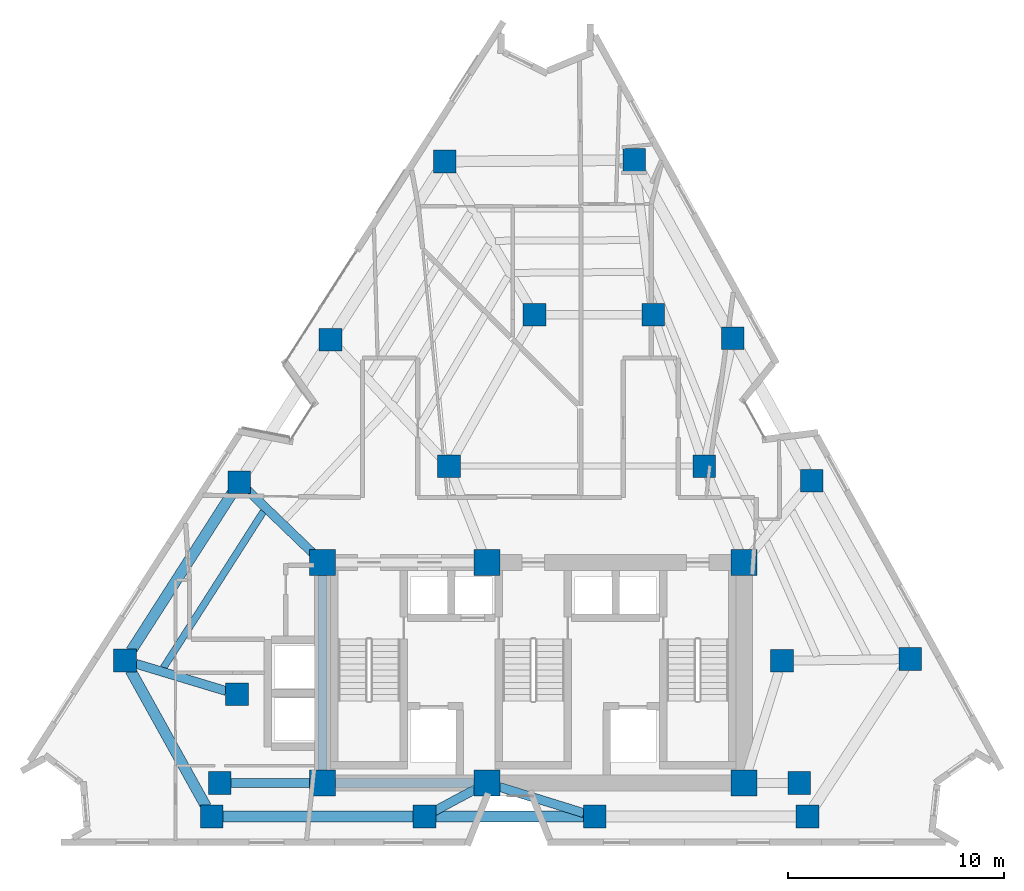
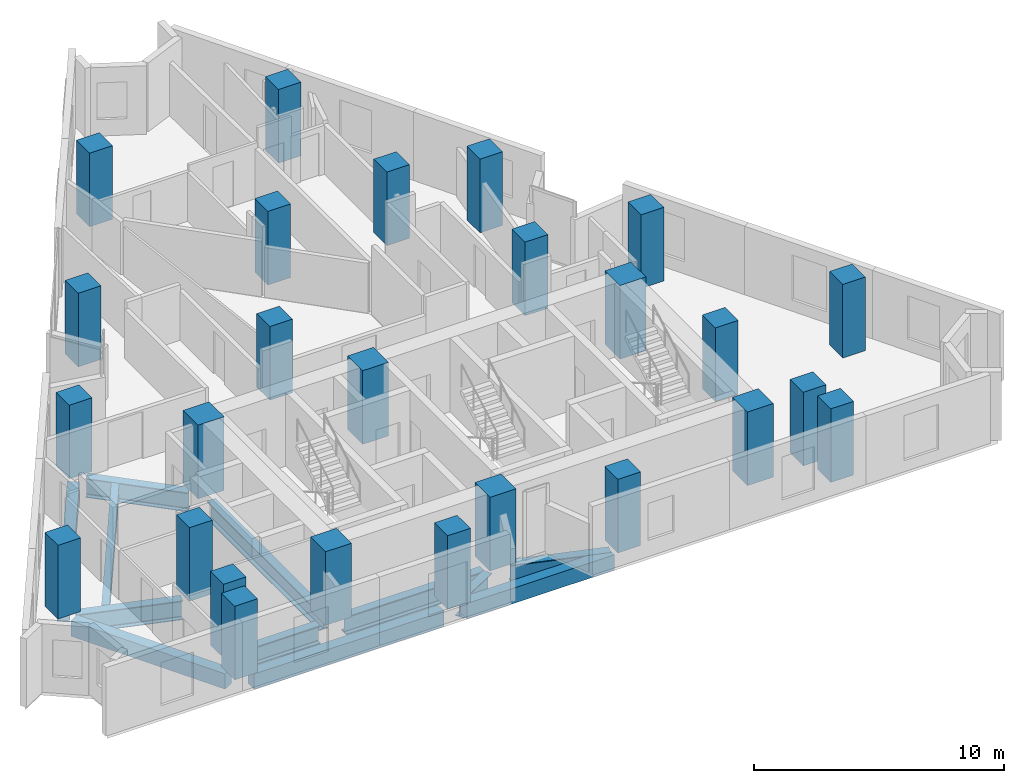
# One storey, part 1 of 10: 26 columns, 12 beams.
"""IFC4 building model written with IfcOpenShell, lengths in metres."""

from ifc_helpers import new_model, si_unit, direction, frame, origin, origin_2d, place, context, subcontext, project, spatial, rectangle, i_section, extrude, material, material_profile, profile_set, type_object, element, save


model = new_model("IFC4")

# Units and contexts
model_context = context("Model", 3, precision=1e-05, world=origin(), true_north=direction((0.0, 1.0)))
body_context = subcontext(model_context, "Body", "Model", "MODEL_VIEW")
ifc_project = project(units=[si_unit("LENGTHUNIT", "METRE"), si_unit("AREAUNIT", "SQUARE_METRE"), si_unit("VOLUMEUNIT", "CUBIC_METRE"), si_unit("PLANEANGLEUNIT", "RADIAN"), si_unit("MASSUNIT", "GRAM", prefix="KILO")], contexts=[model_context])

# Site, building, storey
site_placement = place(None, origin())
site = spatial("IfcSite", under=ifc_project, at=site_placement, CompositionType="ELEMENT")
building_placement = place(site_placement, origin())
building = spatial("IfcBuilding", under=site, at=building_placement, Name="Almagre Mirador Tower", CompositionType="ELEMENT")
storey_placement = place(building_placement, frame((0.0, 0.0, 164.39990234375)))
storey = spatial("IfcBuildingStorey", under=building, at=storey_placement, Name="L42", CompositionType="ELEMENT", Elevation=164.39990234375)

# Columns
ifc_material_1 = material(Name="Concrete C60/75", Category="concrete")
ifc_material_profile_1 = material_profile(ifc_material_1, rectangle(XDim=1.050048828125, YDim=1.050048828125, at=origin_2d()), Name="RC1050X1050")
ifc_profile_set_1 = profile_set([ifc_material_profile_1], Name="Concrete C60/75")
column_type_1 = type_object("IfcColumnType", Name="COL-RC1050", PredefinedType="COLUMN", material=ifc_profile_set_1)
for number, where, z_axis, x_axis, name in (
    (1, (22.800048828125, 4.550048828125, 0.0), (0.0, 0.0, 1.0), (1.0, 0.0, 0.0), "L42 interior transfer column MC1"),
    (2, (49.60009765625, 4.550048828125, 0.0), (0.0, 0.0, 1.0), (1.0, 0.0, 0.0), "L42 interior transfer column MC2"),
    (3, (48.800048828125, 10.199951171875, 0.0), (0.0, 0.0, 1.0), (1.0, 0.0, 0.0), "L42 interior transfer column MC3"),
    (4, (45.199951171875, 19.199951171875, 0.0), (0.0, 0.0, 1.0), (1.0, 0.0, 0.0), "L42 interior transfer column MC5"),
    (5, (42.85009765625, 26.199951171875, 0.0), (0.0, 0.0, 1.0), (1.0, 0.0, 0.0), "L42 interior transfer column MC6"),
    (6, (37.35009765625, 26.199951171875, 0.0), (0.0, 0.0, 1.0), (1.0, 0.0, 0.0), "L42 interior transfer column MC7"),
    (7, (33.39990234375, 19.199951171875, 0.0), (0.0, 0.0, 1.0), (1.0, 0.0, 0.0), "L42 interior transfer column MC8"),
    (8, (23.60009765625, 8.64990234375, 0.0), (0.0, 0.0, 1.0), (1.0, 0.0, 0.0), "L42 interior transfer column MC10"),
    (9, (22.424072265625, 3.0, 0.0), (0.0, 0.0, 1.0), (1.0, 0.0, 0.0), "L42 perimeter column PC01"),
    (10, (32.263916015625, 3.0, 0.0), (0.0, 0.0, 1.0), (1.0, 0.0, 0.0), "L42 perimeter column PC02"),
    (11, (40.135986328125, 3.0, 0.0), (0.0, 0.0, 1.0), (1.0, 0.0, 0.0), "L42 perimeter column PC03"),
    (12, (49.97607421875, 3.0, 0.0), (0.0, 0.0, 1.0), (1.0, 0.0, 0.0), "L42 perimeter column PC04"),
    (13, (54.73388671875, 10.282958984375, 0.0), (0.0, 0.0, 1.0), (1.0, 0.0, 0.0), "L42 perimeter column PC05"),
    (14, (50.174072265625, 18.52294921875, 0.0), (0.0, 0.0, 1.0), (1.0, 0.0, 0.0), "L42 perimeter column PC06"),
    (15, (46.52587890625, 25.114990234375, 0.0), (0.0, 0.0, 1.0), (1.0, 0.0, 0.0), "L42 perimeter column PC07"),
    (16, (41.966064453125, 33.35498046875, 0.0), (0.0, 0.0, 1.0), (1.0, 0.0, 0.0), "L42 perimeter column PC08"),
    (17, (33.201904296875, 33.2890625, 0.0), (0.0, 0.0, 1.0), (1.0, 0.0, 0.0), "L42 perimeter column PC09"),
    (18, (27.922119140625, 25.049072265625, 0.0), (0.0, 0.0, 1.0), (1.0, 0.0, 0.0), "L42 perimeter column PC10"),
    (19, (23.697998046875, 18.45703125, 0.0), (0.0, 0.0, 1.0), (1.0, 0.0, 0.0), "L42 perimeter column PC11"),
    (20, (18.41796875, 10.217041015625, 0.0), (0.0, 0.0, 1.0), (1.0, 0.0, 0.0), "L42 perimeter column PC12"),
):
    element("IfcColumn", number, at=place(storey_placement, frame(where, z_axis=z_axis, x_axis=x_axis)), inside=storey, type_object=column_type_1, Name=name, PredefinedType="COLUMN", context=body_context, shape_type="SweptSolid", body=[
        extrude(rectangle(XDim=1.050048828125, YDim=1.050048828125, at=origin_2d()), origin(), (0.0, 0.0, 1.0), 3.60009765625),
    ])
ifc_material_2 = material(Name="Concrete C60/75", Category="concrete")
ifc_material_profile_2 = material_profile(ifc_material_2, rectangle(XDim=1.199951171875, YDim=1.199951171875, at=origin_2d()), Name="RC1200X1200")
ifc_profile_set_2 = profile_set([ifc_material_profile_2], Name="Concrete C60/75")
column_type_2 = type_object("IfcColumnType", Name="COL-RC1200", PredefinedType="COLUMN", material=ifc_profile_set_2)
for number, where, z_axis, x_axis, name in (
    (21, (27.550048828125, 4.550048828125, 0.0), (0.0, 0.0, 1.0), (1.0, 0.0, 0.0), "L42 core spine column CC1"),
    (22, (35.14990234375, 4.550048828125, 0.0), (0.0, 0.0, 1.0), (1.0, 0.0, 0.0), "L42 core spine column CC2"),
    (23, (47.050048828125, 4.550048828125, 0.0), (0.0, 0.0, 1.0), (1.0, 0.0, 0.0), "L42 core spine column CC3"),
    (24, (27.550048828125, 14.75, 0.0), (0.0, 0.0, 1.0), (1.0, 0.0, 0.0), "L42 core spine column CC4"),
    (25, (35.14990234375, 14.75, 0.0), (0.0, 0.0, 1.0), (1.0, 0.0, 0.0), "L42 core spine column CC5"),
    (26, (47.050048828125, 14.75, 0.0), (0.0, 0.0, 1.0), (1.0, 0.0, 0.0), "L42 core spine column CC6"),
):
    element("IfcColumn", number, at=place(storey_placement, frame(where, z_axis=z_axis, x_axis=x_axis)), inside=storey, type_object=column_type_2, Name=name, PredefinedType="COLUMN", context=body_context, shape_type="SweptSolid", body=[
        extrude(rectangle(XDim=1.199951171875, YDim=1.199951171875, at=origin_2d()), origin(), (0.0, 0.0, 1.0), 3.60009765625),
    ])

# Beams
ifc_material_3 = material(Name="Steel ASTM A992 Grade 50", Category="steel")
ifc_material_profile_3 = material_profile(ifc_material_3, i_section(OverallWidth=0.323974609375, OverallDepth=0.611083984375, WebThickness=0.0126953125, FlangeThickness=0.01904296875, FilletRadius=0.02001953125, at=origin_2d()), Name="W24X104")
ifc_profile_set_3 = profile_set([ifc_material_profile_3], Name="Steel ASTM A992 Grade 50")
beam_type_1 = type_object("IfcBeamType", Name="BM-JST-W24X104", PredefinedType="JOIST", material=ifc_profile_set_3)
beam_1_placement = place(storey_placement, frame((24.815185546875, 17.097412109375, -0.555419921875), z_axis=(-0.538902326422, -0.842368258291, 0.0), x_axis=(0.842368258291, -0.538902326422, 0.0)))
element("IfcBeam", 27, at=beam_1_placement, inside=storey, type_object=beam_type_1, Name="L42 secondary floor joist PC11-PC12.1", PredefinedType="JOIST", context=body_context, shape_type="SweptSolid", body=[
    extrude(i_section(OverallWidth=0.323974609375, OverallDepth=0.611083984375, WebThickness=0.0126953125, FlangeThickness=0.01904296875, FilletRadius=0.02001953125, at=origin_2d()), origin(), (0.0, 0.0, 1.0), 8.55908203125),
])
ifc_material_4 = material(Name="Precast concrete C50/60", Category="concrete")
ifc_material_profile_4 = material_profile(ifc_material_4, rectangle(XDim=0.5, YDim=0.75, at=origin_2d()), Name="RC500X750")
ifc_profile_set_4 = profile_set([ifc_material_profile_4], Name="Precast concrete C50/60")
beam_type_2 = type_object("IfcBeamType", Name="BM-SPN-RC500X750", PredefinedType="SPANDREL", material=ifc_profile_set_4)
beam_2_placement = place(storey_placement, frame((22.948974609375, 3.0, -0.625), z_axis=(1.0, 0.0, 0.0), x_axis=(0.0, 1.0, 0.0)))
element("IfcBeam", 28, at=beam_2_placement, inside=storey, type_object=beam_type_2, Name="L42 perimeter spandrel beam PC01-PC02", PredefinedType="SPANDREL", context=body_context, shape_type="SweptSolid", body=[
    extrude(rectangle(XDim=0.5, YDim=0.75, at=origin_2d()), origin(), (0.0, 0.0, 1.0), 8.7900390625),
])
beam_3_placement = place(storey_placement, frame((32.7890625, 3.0, -0.625), z_axis=(1.0, 0.0, 0.0), x_axis=(0.0, 1.0, 0.0)))
element("IfcBeam", 29, at=beam_3_placement, inside=storey, type_object=beam_type_2, Name="L42 perimeter spandrel beam PC02-PC03", PredefinedType="SPANDREL", context=body_context, shape_type="SweptSolid", body=[
    extrude(rectangle(XDim=0.5, YDim=0.75, at=origin_2d()), origin(), (0.0, 0.0, 1.0), 6.822021484375),
])
beam_4_placement = place(storey_placement, frame((23.414794921875, 18.014892578125, -0.625), z_axis=(-0.539525433851, -0.841969302426, 0.0), x_axis=(0.841969302426, -0.539525433851, 0.0)))
element("IfcBeam", 30, at=beam_4_placement, inside=storey, type_object=beam_type_2, Name="L42 perimeter spandrel beam PC11-PC12", PredefinedType="SPANDREL", context=body_context, shape_type="SweptSolid", body=[
    extrude(rectangle(XDim=0.5, YDim=0.75, at=origin_2d()), origin(), (0.0, 0.0, 1.0), 8.736572265625),
])
beam_5_placement = place(storey_placement, frame((18.6728515625, 9.758056640625, -0.625), z_axis=(0.48530913158, -0.874342636959, 0.0), x_axis=(0.874342636959, 0.48530913158, 0.0)))
element("IfcBeam", 31, at=beam_5_placement, inside=storey, type_object=beam_type_2, Name="L42 perimeter spandrel beam PC12-PC01", PredefinedType="SPANDREL", context=body_context, shape_type="SweptSolid", body=[
    extrude(rectangle(XDim=0.5, YDim=0.75, at=origin_2d()), origin(), (0.0, 0.0, 1.0), 7.204345703125),
])
ifc_material_5 = material(Name="Steel ASTM A992 Grade 50", Category="steel")
ifc_material_profile_5 = material_profile(ifc_material_5, i_section(OverallWidth=0.404052734375, OverallDepth=0.884033203125, WebThickness=0.0244140625, FlangeThickness=0.0439453125, FilletRadius=0.02490234375, at=origin_2d()), Name="W33X291")
ifc_profile_set_5 = profile_set([ifc_material_profile_5], Name="Steel ASTM A992 Grade 50")
beam_type_3 = type_object("IfcBeamType", Name="BM-STL-W33X291", PredefinedType="BEAM", material=ifc_profile_set_5)
beam_6_placement = place(storey_placement, frame((28.14990234375, 4.550048828125, -0.69189453125), z_axis=(1.0, 0.0, 0.0), x_axis=(0.0, 1.0, 0.0)))
element("IfcBeam", 32, at=beam_6_placement, inside=storey, type_object=beam_type_3, Name="L42 core tie girder CC1-CC2", PredefinedType="BEAM", context=body_context, shape_type="SweptSolid", body=[
    extrude(i_section(OverallWidth=0.404052734375, OverallDepth=0.884033203125, WebThickness=0.0244140625, FlangeThickness=0.0439453125, FilletRadius=0.02490234375, at=origin_2d()), origin(), (0.0, 0.0, 1.0), 6.400146484375),
])
beam_7_placement = place(storey_placement, frame((27.550048828125, 5.14990234375, -0.69189453125), z_axis=(0.0, 1.0, 0.0), x_axis=(-1.0, 0.0, 0.0)))
element("IfcBeam", 33, at=beam_7_placement, inside=storey, type_object=beam_type_3, Name="L42 core tie girder CC1-CC4", PredefinedType="BEAM", context=body_context, shape_type="SweptSolid", body=[
    extrude(i_section(OverallWidth=0.404052734375, OverallDepth=0.884033203125, WebThickness=0.0244140625, FlangeThickness=0.0439453125, FilletRadius=0.02490234375, at=origin_2d()), origin(), (0.0, 0.0, 1.0), 9.0),
])
beam_8_placement = place(storey_placement, frame((23.324951171875, 4.550048828125, -0.69189453125), z_axis=(1.0, 0.0, 0.0), x_axis=(0.0, 1.0, 0.0)))
element("IfcBeam", 34, at=beam_8_placement, inside=storey, type_object=beam_type_3, Name="L42 core tie girder MC1-CC1", PredefinedType="BEAM", context=body_context, shape_type="SweptSolid", body=[
    extrude(i_section(OverallWidth=0.404052734375, OverallDepth=0.884033203125, WebThickness=0.0244140625, FlangeThickness=0.0439453125, FilletRadius=0.02490234375, at=origin_2d()), origin(), (0.0, 0.0, 1.0), 3.625),
])
ifc_material_6 = material(Name="Steel ASTM A992 Grade 50", Category="steel")
ifc_material_profile_6 = material_profile(ifc_material_6, i_section(OverallWidth=0.41796875, OverallDepth=0.927001953125, WebThickness=0.019287109375, FlangeThickness=0.031982421875, FilletRadius=0.028076171875, at=origin_2d()), Name="W36X231")
ifc_profile_set_6 = profile_set([ifc_material_profile_6], Name="Steel ASTM A992 Grade 50")
beam_type_4 = type_object("IfcBeamType", Name="BM-STL-W36X231", PredefinedType="BEAM", material=ifc_profile_set_6)
beam_9_placement = place(storey_placement, frame((32.7265625, 3.248291015625, -0.71337890625), z_axis=(0.880944482784, 0.473219630038, 0.0), x_axis=(-0.473219630038, 0.880944482784, 0.0)))
element("IfcBeam", 35, at=beam_9_placement, inside=storey, type_object=beam_type_4, Name="L42 radial floor girder PC02-CC2", PredefinedType="BEAM", context=body_context, shape_type="SweptSolid", body=[
    extrude(i_section(OverallWidth=0.41796875, OverallDepth=0.927001953125, WebThickness=0.019287109375, FlangeThickness=0.031982421875, FilletRadius=0.028076171875, at=origin_2d()), origin(), (0.0, 0.0, 1.0), 2.15087890625),
])
beam_10_placement = place(storey_placement, frame((39.634765625, 3.15576171875, -0.71337890625), z_axis=(-0.954923245633, 0.296852816982, 0.0), x_axis=(-0.296852816982, -0.954923245633, 0.0)))
element("IfcBeam", 36, at=beam_10_placement, inside=storey, type_object=beam_type_4, Name="L42 radial floor girder PC03-CC2", PredefinedType="BEAM", context=body_context, shape_type="SweptSolid", body=[
    extrude(i_section(OverallWidth=0.41796875, OverallDepth=0.927001953125, WebThickness=0.019287109375, FlangeThickness=0.031982421875, FilletRadius=0.028076171875, at=origin_2d()), origin(), (0.0, 0.0, 1.0), 4.096435546875),
])
beam_11_placement = place(storey_placement, frame((24.076416015625, 18.093017578125, -0.71337890625), z_axis=(0.720511778148, -0.693442699544, 0.0), x_axis=(0.693442699544, 0.720511778148, 0.0)))
element("IfcBeam", 37, at=beam_11_placement, inside=storey, type_object=beam_type_4, Name="L42 radial floor girder PC11-CC4", PredefinedType="BEAM", context=body_context, shape_type="SweptSolid", body=[
    extrude(i_section(OverallWidth=0.41796875, OverallDepth=0.927001953125, WebThickness=0.019287109375, FlangeThickness=0.031982421875, FilletRadius=0.028076171875, at=origin_2d()), origin(), (0.0, 0.0, 1.0), 4.220947265625),
])
beam_12_placement = place(storey_placement, frame((18.92041015625, 10.06494140625, -0.71337890625), z_axis=(0.957203497828, -0.289415728229, 0.0), x_axis=(0.289415728229, 0.957203497828, 0.0)))
element("IfcBeam", 38, at=beam_12_placement, inside=storey, type_object=beam_type_4, Name="L42 radial floor girder PC12-MC10", PredefinedType="BEAM", context=body_context, shape_type="SweptSolid", body=[
    extrude(i_section(OverallWidth=0.41796875, OverallDepth=0.927001953125, WebThickness=0.019287109375, FlangeThickness=0.031982421875, FilletRadius=0.028076171875, at=origin_2d()), origin(), (0.0, 0.0, 1.0), 4.36376953125),
])

save(model, "model.ifc")
